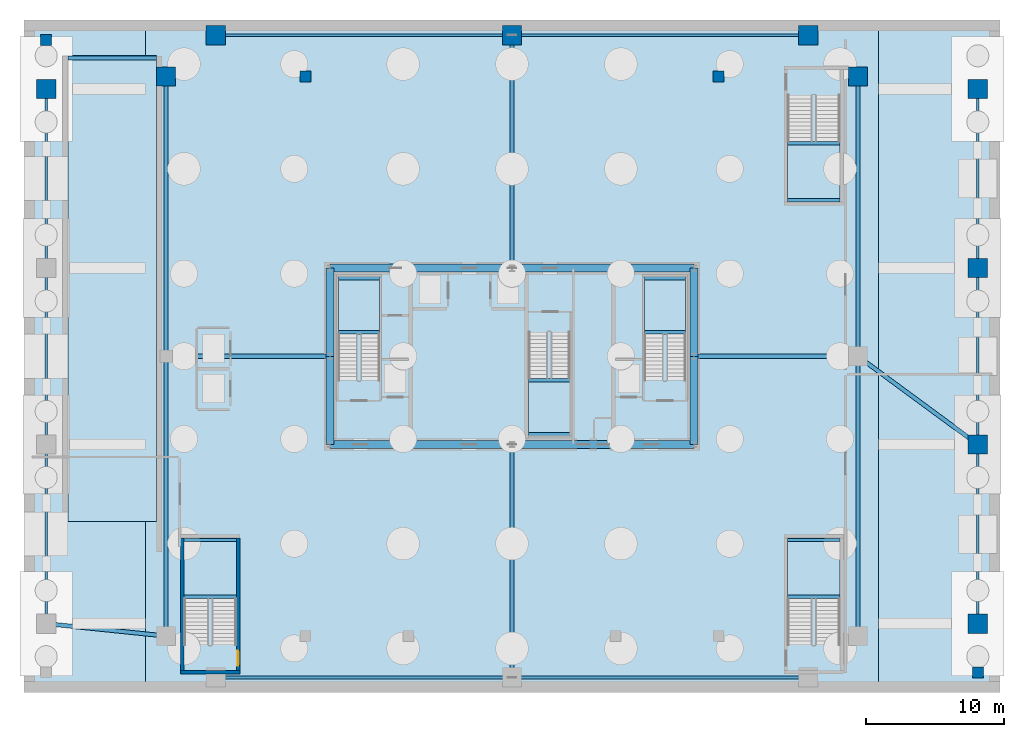
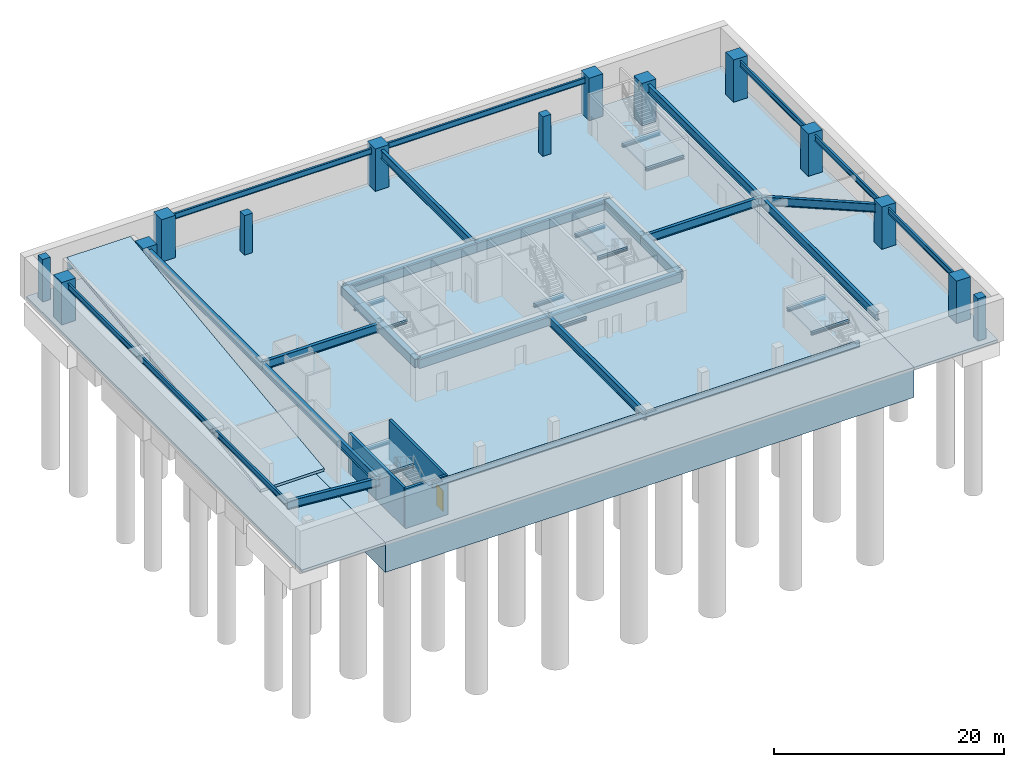
# One storey, part 3 of 10: 41 beams, 14 columns, 10 slabs, 3 walls, 1 door, 1 opening, 6 elements without a shape of their own.
"""IFC4 building model written with IfcOpenShell, lengths in metres."""

from ifc_helpers import new_model, si_unit, direction, frame, frame_2d, origin, origin_2d, place, context, subcontext, project, spatial, polyline, rectangle, i_section, outline, extrude, source, transform, mapped, material, layer, layer_set, material_profile, profile_set, type_object, element, fill, aggregate, save


model = new_model("IFC4")

# Units and contexts
model_context = context("Model", 3, precision=1e-05, world=origin(), true_north=direction((0.0, 1.0)))
body_context = subcontext(model_context, "Body", "Model", "MODEL_VIEW")
ifc_project = project(units=[si_unit("LENGTHUNIT", "METRE"), si_unit("AREAUNIT", "SQUARE_METRE"), si_unit("VOLUMEUNIT", "CUBIC_METRE"), si_unit("PLANEANGLEUNIT", "RADIAN"), si_unit("MASSUNIT", "GRAM", prefix="KILO"), si_unit("THERMODYNAMICTEMPERATUREUNIT", "KELVIN"), si_unit("POWERUNIT", "WATT")], contexts=[model_context])

# Site, building, storey
site_placement = place(None, origin())
site = spatial("IfcSite", under=ifc_project, at=site_placement, CompositionType="ELEMENT")
building_placement = place(site_placement, origin())
building = spatial("IfcBuilding", under=site, at=building_placement, Name="Yuzanri Waterfront Tower", CompositionType="ELEMENT")
storey_placement = place(building_placement, frame((0.0, 0.0, -9.0)))
storey = spatial("IfcBuildingStorey", under=building, at=storey_placement, Name="B02", CompositionType="ELEMENT", Elevation=-9.0)

# Columns
ifc_material_1 = material(Name="Concrete C50", Category="concrete")
ifc_material_profile_1 = material_profile(ifc_material_1, rectangle(XDim=0.800048828125, YDim=0.800048828125, at=origin_2d()), Name="RC 800x800")
ifc_profile_set_1 = profile_set([ifc_material_profile_1], Name="Concrete C50")
column_type_1 = type_object("IfcColumnType", Name="Upper Podium RC Column C50 800x800", PredefinedType="COLUMN", material=ifc_profile_set_1)
shared_shape_1 = source(origin(), body_context, "Body", "SweptSolid", [
    extrude(rectangle(XDim=0.800048828125, YDim=0.800048828125, at=origin_2d()), origin(), (0.0, 0.0, 1.0), 4.199951171875),
])
for number, where, z_axis, x_axis, name in (
    (1, (22.0, 46.10009765625, 0.0), (0.0, 0.0, 1.0), (1.0, 0.0, 0.0), "B02 Basement Sub-Grid Column 5"),
    (2, (52.0, 46.10009765625, 0.0), (0.0, 0.0, 1.0), (1.0, 0.0, 0.0), "B02 Basement Sub-Grid Column 6"),
):
    element("IfcColumn", number, at=place(storey_placement, frame(where, z_axis=z_axis, x_axis=x_axis)), inside=storey, type_object=column_type_1, Name=name, PredefinedType="COLUMN", context=body_context, shape_type="MappedRepresentation", body=[
        mapped(shared_shape_1, transform((0.0, 0.0, 0.0), scale=1.0)),
    ])
shared_shape_2 = source(origin(), body_context, "Body", "SweptSolid", [
    extrude(rectangle(XDim=0.800048828125, YDim=0.800048828125, at=origin_2d()), origin(), (0.0, 0.0, 1.0), 4.5),
])
for number, where, z_axis, x_axis, name in (
    (3, (70.800048828125, 2.85009765625, 0.0), (0.0, 0.0, 1.0), (1.0, 0.0, 0.0), "B02 Podium Corner Column CNPSE"),
    (4, (3.199951171875, 48.75, 0.0), (0.0, 0.0, 1.0), (1.0, 0.0, 0.0), "B02 Podium Corner Column CNPNW"),
):
    element("IfcColumn", number, at=place(storey_placement, frame(where, z_axis=z_axis, x_axis=x_axis)), inside=storey, type_object=column_type_1, Name=name, PredefinedType="COLUMN", context=body_context, shape_type="MappedRepresentation", body=[
        mapped(shared_shape_2, transform((0.0, 0.0, 0.0), scale=1.0)),
    ])
ifc_material_2 = material(Name="Concrete C60", Category="concrete")
ifc_material_profile_2 = material_profile(ifc_material_2, rectangle(XDim=1.39990234375, YDim=1.39990234375, at=origin_2d()), Name="RC 1400x1400")
ifc_profile_set_2 = profile_set([ifc_material_profile_2], Name="Concrete C60")
column_type_2 = type_object("IfcColumnType", Name="Podium RC Column C60 1400x1400", PredefinedType="COLUMN", material=ifc_profile_set_2)
shared_shape_3 = source(origin(), body_context, "Body", "SweptSolid", [
    extrude(rectangle(XDim=1.39990234375, YDim=1.39990234375, at=origin_2d()), origin(), (0.0, 0.0, 1.0), 4.5),
])
for number, where, z_axis, x_axis, name in (
    (5, (3.199951171875, 45.199951171875, 0.0), (0.0, 0.0, 1.0), (1.0, 0.0, 0.0), "B02 Podium Column PW4"),
    (6, (70.800048828125, 6.39990234375, 0.0), (0.0, 0.0, 1.0), (1.0, 0.0, 0.0), "B02 Podium Column PE1"),
    (7, (70.800048828125, 19.39990234375, 0.0), (0.0, 0.0, 1.0), (1.0, 0.0, 0.0), "B02 Podium Column PE2"),
    (8, (70.800048828125, 32.199951171875, 0.0), (0.0, 0.0, 1.0), (1.0, 0.0, 0.0), "B02 Podium Column PE3"),
    (9, (70.800048828125, 45.199951171875, 0.0), (0.0, 0.0, 1.0), (1.0, 0.0, 0.0), "B02 Podium Column PE4"),
    (10, (11.89990234375, 46.10009765625, 0.0), (0.0, 0.0, 1.0), (1.0, 0.0, 0.0), "B02 Podium Column PTW3"),
    (11, (62.10009765625, 46.10009765625, 0.0), (0.0, 0.0, 1.0), (1.0, 0.0, 0.0), "B02 Podium Column PTE3"),
    (12, (15.5, 49.10009765625, 0.0), (0.0, 0.0, 1.0), (1.0, 0.0, 0.0), "B02 Podium Column PTN1"),
    (13, (37.0, 49.10009765625, 0.0), (0.0, 0.0, 1.0), (1.0, 0.0, 0.0), "B02 Podium Column PTN2"),
    (14, (58.5, 49.10009765625, 0.0), (0.0, 0.0, 1.0), (1.0, 0.0, 0.0), "B02 Podium Column PTN3"),
):
    element("IfcColumn", number, at=place(storey_placement, frame(where, z_axis=z_axis, x_axis=x_axis)), inside=storey, type_object=column_type_2, Name=name, PredefinedType="COLUMN", context=body_context, shape_type="MappedRepresentation", body=[
        mapped(shared_shape_3, transform((0.0, 0.0, 0.0), scale=1.0)),
    ])

# Beams
ifc_material_3 = material(Name="Concrete C60", Category="concrete")
ifc_material_profile_3 = material_profile(ifc_material_3, rectangle(XDim=0.60009765625, YDim=0.89990234375, at=origin_2d()), Name="RC 600x900")
ifc_profile_set_3 = profile_set([ifc_material_profile_3], Name="Concrete C60")
beam_type_1 = type_object("IfcBeamType", Name="Core Coupling Lintel Concrete C60 600x900", PredefinedType="LINTEL", material=ifc_profile_set_3)
shared_shape_4 = source(origin(), body_context, "Body", "SweptSolid", [
    extrude(rectangle(XDim=0.60009765625, YDim=0.89990234375, at=origin_2d()), origin(), (0.0, 0.0, 1.0), 13.199951171875),
])
for number, where, z_axis, x_axis, name in (
    (15, (23.800048828125, 19.39990234375, 3.75), (1.0, 0.0, 0.0), (0.0, 1.0, 0.0), "B02 Core Tie Beam CS1"),
    (16, (37.0, 19.39990234375, 3.75), (1.0, 0.0, 0.0), (0.0, 1.0, 0.0), "B02 Core Tie Beam CS2"),
    (17, (23.800048828125, 32.199951171875, 3.75), (1.0, 0.0, 0.0), (0.0, 1.0, 0.0), "B02 Core Tie Beam CN1"),
    (18, (37.0, 32.199951171875, 3.75), (1.0, 0.0, 0.0), (0.0, 1.0, 0.0), "B02 Core Tie Beam CN2"),
):
    element("IfcBeam", number, at=place(storey_placement, frame(where, z_axis=z_axis, x_axis=x_axis)), inside=storey, type_object=beam_type_1, Name=name, PredefinedType="LINTEL", context=body_context, shape_type="MappedRepresentation", body=[
        mapped(shared_shape_4, transform((0.0, 0.0, 0.0), scale=1.0)),
    ])
shared_shape_5 = source(origin(), body_context, "Body", "SweptSolid", [
    extrude(rectangle(XDim=0.60009765625, YDim=0.89990234375, at=origin_2d()), origin(), (0.0, 0.0, 1.0), 6.400146484375),
])
for number, where, z_axis, x_axis, name in (
    (19, (23.800048828125, 19.39990234375, 3.75), (0.0, 1.0, 0.0), (-1.0, 0.0, 0.0), "B02 Core Tie Beam CW1"),
    (20, (50.199951171875, 19.39990234375, 3.75), (0.0, 1.0, 0.0), (-1.0, 0.0, 0.0), "B02 Core Tie Beam CE1"),
):
    element("IfcBeam", number, at=place(storey_placement, frame(where, z_axis=z_axis, x_axis=x_axis)), inside=storey, type_object=beam_type_1, Name=name, PredefinedType="LINTEL", context=body_context, shape_type="MappedRepresentation", body=[
        mapped(shared_shape_5, transform((0.0, 0.0, 0.0), scale=1.0)),
    ])
shared_shape_6 = source(origin(), body_context, "Body", "SweptSolid", [
    extrude(rectangle(XDim=0.60009765625, YDim=0.89990234375, at=origin_2d()), origin(), (0.0, 0.0, 1.0), 6.39990234375),
])
for number, where, z_axis, x_axis, name in (
    (21, (23.800048828125, 25.800048828125, 3.75), (0.0, 1.0, 0.0), (-1.0, 0.0, 0.0), "B02 Core Tie Beam CW2"),
    (22, (50.199951171875, 25.800048828125, 3.75), (0.0, 1.0, 0.0), (-1.0, 0.0, 0.0), "B02 Core Tie Beam CE2"),
):
    element("IfcBeam", number, at=place(storey_placement, frame(where, z_axis=z_axis, x_axis=x_axis)), inside=storey, type_object=beam_type_1, Name=name, PredefinedType="LINTEL", context=body_context, shape_type="MappedRepresentation", body=[
        mapped(shared_shape_6, transform((0.0, 0.0, 0.0), scale=1.0)),
    ])
ifc_material_4 = material(Name="Steel Q355B", Category="steel")
ifc_material_profile_4 = material_profile(ifc_material_4, i_section(OverallWidth=0.199951171875, OverallDepth=0.60009765625, WebThickness=0.010986328125, FlangeThickness=0.01708984375, at=origin_2d()), Name="HN 600x200x11x17")
ifc_profile_set_4 = profile_set([ifc_material_profile_4], Name="Steel Q355B")
beam_type_2 = type_object("IfcBeamType", Name="Perimeter Spandrel Q355B HN 600x200", PredefinedType="SPANDREL", material=ifc_profile_set_4)
shared_shape_7 = source(origin(), body_context, "Body", "SweptSolid", [
    extrude(i_section(OverallWidth=0.199951171875, OverallDepth=0.60009765625, WebThickness=0.010986328125, FlangeThickness=0.01708984375, at=origin_2d()), origin(), (0.0, 0.0, 1.0), 13.0),
])
for number, where, z_axis, x_axis, name in (
    (23, (3.199951171875, 6.39990234375, 3.89990234375), (0.0, 1.0, 0.0), (-1.0, 0.0, 0.0), "B02 West Podium Spandrel 1"),
    (24, (70.800048828125, 6.39990234375, 3.89990234375), (0.0, 1.0, 0.0), (-1.0, 0.0, 0.0), "B02 East Podium Spandrel 1"),
    (25, (3.199951171875, 32.199951171875, 3.89990234375), (0.0, 1.0, 0.0), (-1.0, 0.0, 0.0), "B02 West Podium Spandrel 3"),
    (26, (70.800048828125, 32.199951171875, 3.89990234375), (0.0, 1.0, 0.0), (-1.0, 0.0, 0.0), "B02 East Podium Spandrel 3"),
):
    element("IfcBeam", number, at=place(storey_placement, frame(where, z_axis=z_axis, x_axis=x_axis)), inside=storey, type_object=beam_type_2, Name=name, PredefinedType="SPANDREL", context=body_context, shape_type="MappedRepresentation", body=[
        mapped(shared_shape_7, transform((0.0, 0.0, 0.0), scale=1.0)),
    ])
shared_shape_8 = source(origin(), body_context, "Body", "SweptSolid", [
    extrude(i_section(OverallWidth=0.199951171875, OverallDepth=0.60009765625, WebThickness=0.010986328125, FlangeThickness=0.01708984375, at=origin_2d()), origin(), (0.0, 0.0, 1.0), 12.800048828125),
])
for number, where, z_axis, x_axis, name in (
    (27, (3.199951171875, 19.39990234375, 3.89990234375), (0.0, 1.0, 0.0), (-1.0, 0.0, 0.0), "B02 West Podium Spandrel 2"),
    (28, (70.800048828125, 19.39990234375, 3.89990234375), (0.0, 1.0, 0.0), (-1.0, 0.0, 0.0), "B02 East Podium Spandrel 2"),
):
    element("IfcBeam", number, at=place(storey_placement, frame(where, z_axis=z_axis, x_axis=x_axis)), inside=storey, type_object=beam_type_2, Name=name, PredefinedType="SPANDREL", context=body_context, shape_type="MappedRepresentation", body=[
        mapped(shared_shape_8, transform((0.0, 0.0, 0.0), scale=1.0)),
    ])
ifc_material_5 = material(Name="Steel Q355B", Category="steel")
ifc_material_profile_5 = material_profile(ifc_material_5, i_section(OverallWidth=0.300048828125, OverallDepth=0.89990234375, WebThickness=0.01611328125, FlangeThickness=0.028076171875, at=origin_2d()), Name="HN 900x300x16x28")
ifc_profile_set_5 = profile_set([ifc_material_profile_5], Name="Steel Q355B")
beam_type_3 = type_object("IfcBeamType", Name="Primary Podium Girder Q355B HN 900x300", PredefinedType="BEAM", material=ifc_profile_set_5)
shared_shape_9 = source(origin(), body_context, "Body", "SweptSolid", [
    extrude(i_section(OverallWidth=0.300048828125, OverallDepth=0.89990234375, WebThickness=0.01611328125, FlangeThickness=0.028076171875, at=origin_2d()), origin(), (0.0, 0.0, 1.0), 8.746337890625),
])
beam_1_placement = place(storey_placement, frame((3.199951171875, 6.39990234375, 3.75), z_axis=(0.994692877467, -0.102888675357, 0.0), x_axis=(0.102888675357, 0.994692877467, 0.0)))
element("IfcBeam", 29, at=beam_1_placement, inside=storey, type_object=beam_type_3, Name="B02 Basement West South Tie Girder", PredefinedType="BEAM", context=body_context, shape_type="MappedRepresentation", body=[
    mapped(shared_shape_9, transform((0.0, 0.0, 0.0), scale=1.0)),
])
shared_shape_10 = source(origin(), body_context, "Body", "SweptSolid", [
    extrude(i_section(OverallWidth=0.300048828125, OverallDepth=0.89990234375, WebThickness=0.01611328125, FlangeThickness=0.028076171875, at=origin_2d()), origin(), (0.0, 0.0, 1.0), 11.900146484375),
])
for number, where, z_axis, x_axis, name in (
    (30, (11.89990234375, 25.800048828125, 3.75), (1.0, 0.0, 0.0), (0.0, 1.0, 0.0), "B02 Podium West Girder 2"),
    (31, (50.199951171875, 25.800048828125, 3.75), (1.0, 0.0, 0.0), (0.0, 1.0, 0.0), "B02 Podium East Girder 1"),
):
    element("IfcBeam", number, at=place(storey_placement, frame(where, z_axis=z_axis, x_axis=x_axis)), inside=storey, type_object=beam_type_3, Name=name, PredefinedType="BEAM", context=body_context, shape_type="MappedRepresentation", body=[
        mapped(shared_shape_10, transform((0.0, 0.0, 0.0), scale=1.0)),
    ])
shared_shape_11 = source(origin(), body_context, "Body", "SweptSolid", [
    extrude(i_section(OverallWidth=0.300048828125, OverallDepth=0.89990234375, WebThickness=0.01611328125, FlangeThickness=0.028076171875, at=origin_2d()), origin(), (0.0, 0.0, 1.0), 20.300048828125),
])
for number, where, z_axis, x_axis, name in (
    (32, (11.89990234375, 5.5, 3.75), (0.0, 1.0, 0.0), (-1.0, 0.0, 0.0), "B02 Podium Spine Girder S"),
    (33, (11.89990234375, 25.800048828125, 3.75), (0.0, 1.0, 0.0), (-1.0, 0.0, 0.0), "B02 Podium Spine Girder N"),
    (34, (62.10009765625, 5.5, 3.75), (0.0, 1.0, 0.0), (-1.0, 0.0, 0.0), "B02 Podium East Spine S"),
    (35, (62.10009765625, 25.800048828125, 3.75), (0.0, 1.0, 0.0), (-1.0, 0.0, 0.0), "B02 Podium East Spine N"),
):
    element("IfcBeam", number, at=place(storey_placement, frame(where, z_axis=z_axis, x_axis=x_axis)), inside=storey, type_object=beam_type_3, Name=name, PredefinedType="BEAM", context=body_context, shape_type="MappedRepresentation", body=[
        mapped(shared_shape_11, transform((0.0, 0.0, 0.0), scale=1.0)),
    ])
shared_shape_12 = source(origin(), body_context, "Body", "SweptSolid", [
    extrude(i_section(OverallWidth=0.300048828125, OverallDepth=0.89990234375, WebThickness=0.01611328125, FlangeThickness=0.028076171875, at=origin_2d()), origin(), (0.0, 0.0, 1.0), 10.800537109375),
])
beam_2_placement = place(storey_placement, frame((62.10009765625, 25.800048828125, 3.75), z_axis=(0.805512964712, -0.592578149851, 0.0), x_axis=(0.592578149851, 0.805512964712, 0.0)))
element("IfcBeam", 36, at=beam_2_placement, inside=storey, type_object=beam_type_3, Name="B02 Podium East Girder 2", PredefinedType="BEAM", context=body_context, shape_type="MappedRepresentation", body=[
    mapped(shared_shape_12, transform((0.0, 0.0, 0.0), scale=1.0)),
])
shared_shape_13 = source(origin(), body_context, "Body", "SweptSolid", [
    extrude(i_section(OverallWidth=0.300048828125, OverallDepth=0.89990234375, WebThickness=0.01611328125, FlangeThickness=0.028076171875, at=origin_2d()), origin(), (0.0, 0.0, 1.0), 16.89990234375),
])
beam_3_placement = place(storey_placement, frame((37.0, 2.5, 3.75), z_axis=(0.0, 1.0, 0.0), x_axis=(-1.0, 0.0, 0.0)))
element("IfcBeam", 37, at=beam_3_placement, inside=storey, type_object=beam_type_3, Name="B02 South Core Link Girder", PredefinedType="BEAM", context=body_context, shape_type="MappedRepresentation", body=[
    mapped(shared_shape_13, transform((0.0, 0.0, 0.0), scale=1.0)),
])
shared_shape_14 = source(origin(), body_context, "Body", "SweptSolid", [
    extrude(i_section(OverallWidth=0.300048828125, OverallDepth=0.89990234375, WebThickness=0.01611328125, FlangeThickness=0.028076171875, at=origin_2d()), origin(), (0.0, 0.0, 1.0), 16.900146484375),
])
beam_4_placement = place(storey_placement, frame((37.0, 32.199951171875, 3.75), z_axis=(0.0, 1.0, 0.0), x_axis=(-1.0, 0.0, 0.0)))
element("IfcBeam", 38, at=beam_4_placement, inside=storey, type_object=beam_type_3, Name="B02 North Core Link Girder", PredefinedType="BEAM", context=body_context, shape_type="MappedRepresentation", body=[
    mapped(shared_shape_14, transform((0.0, 0.0, 0.0), scale=1.0)),
])
shared_shape_15 = source(origin(), body_context, "Body", "SweptSolid", [
    extrude(i_section(OverallWidth=0.199951171875, OverallDepth=0.60009765625, WebThickness=0.010986328125, FlangeThickness=0.01708984375, at=origin_2d()), origin(), (0.0, 0.0, 1.0), 21.5),
])
for number, where, z_axis, x_axis, name in (
    (39, (15.5, 2.5, 3.89990234375), (1.0, 0.0, 0.0), (0.0, 1.0, 0.0), "B02 South Spandrel 1"),
    (40, (37.0, 2.5, 3.89990234375), (1.0, 0.0, 0.0), (0.0, 1.0, 0.0), "B02 South Spandrel 2"),
    (41, (15.5, 49.10009765625, 3.89990234375), (1.0, 0.0, 0.0), (0.0, 1.0, 0.0), "B02 North Spandrel 1"),
    (42, (37.0, 49.10009765625, 3.89990234375), (1.0, 0.0, 0.0), (0.0, 1.0, 0.0), "B02 North Spandrel 2"),
):
    element("IfcBeam", number, at=place(storey_placement, frame(where, z_axis=z_axis, x_axis=x_axis)), inside=storey, type_object=beam_type_2, Name=name, PredefinedType="SPANDREL", context=body_context, shape_type="MappedRepresentation", body=[
        mapped(shared_shape_15, transform((0.0, 0.0, 0.0), scale=1.0)),
    ])
shared_shape_16 = source(origin(), body_context, "Body", "SweptSolid", [
    extrude(i_section(OverallWidth=0.300048828125, OverallDepth=0.89990234375, WebThickness=0.01611328125, FlangeThickness=0.028076171875, at=origin_2d()), origin(), (0.0, 0.0, 1.0), 6.39990234375),
])
beam_5_placement = place(storey_placement, frame((4.800048828125, 47.449951171875, 3.72509765625), z_axis=(1.0, 0.0, 0.0), x_axis=(0.0, 1.0, 0.0)))
element("IfcBeam", 43, at=beam_5_placement, inside=storey, type_object=beam_type_3, Name="B02 Car-Park Ramp Arrival Header Girder", PredefinedType="BEAM", context=body_context, shape_type="MappedRepresentation", body=[
    mapped(shared_shape_16, transform((0.0, 0.0, 0.0), scale=1.0)),
])
ifc_material_6 = material(Name="Steel Q355B", Category="steel")
ifc_material_profile_6 = material_profile(ifc_material_6, i_section(OverallWidth=0.25, OverallDepth=0.25, WebThickness=0.009033203125, FlangeThickness=0.013916015625, at=origin_2d()), Name="HW 250x250x9x14")
ifc_profile_set_6 = profile_set([ifc_material_profile_6], Name="Steel Q355B")
beam_type_4 = type_object("IfcBeamType", Name="Stair Landing Support Beam Q355B HW 250x250", PredefinedType="BEAM", material=ifc_profile_set_6)
shared_shape_17 = source(origin(), body_context, "Body", "SweptSolid", [
    extrude(i_section(OverallWidth=0.25, OverallDepth=0.25, WebThickness=0.009033203125, FlangeThickness=0.013916015625, at=origin_2d()), origin(), (0.0, 0.0, 1.0), 3.0),
])
for number, where, z_axis, x_axis, name in (
    (44, (24.39990234375, 27.530029296875, 1.925048828125), (1.0, 0.0, 0.0), (0.0, 1.0, 0.0), "B02 Stair Landing Support Beam ST-01-B02-L1-1"),
    (45, (24.39990234375, 31.449951171875, 1.925048828125), (1.0, 0.0, 0.0), (0.0, 1.0, 0.0), "B02 Stair Landing Support Beam ST-01-B02-L1-2"),
    (46, (46.60009765625, 27.530029296875, 1.925048828125), (1.0, 0.0, 0.0), (0.0, 1.0, 0.0), "B02 Stair Landing Support Beam ST-02-B02-L1-1"),
    (47, (46.60009765625, 31.449951171875, 1.925048828125), (1.0, 0.0, 0.0), (0.0, 1.0, 0.0), "B02 Stair Landing Support Beam ST-02-B02-L1-2"),
    (48, (38.199951171875, 20.14990234375, 1.925048828125), (1.0, 0.0, 0.0), (0.0, 1.0, 0.0), "B02 Stair Landing Support Beam ST-03-B02-L1-1"),
    (49, (38.199951171875, 24.070068359375, 1.925048828125), (1.0, 0.0, 0.0), (0.0, 1.0, 0.0), "B02 Stair Landing Support Beam ST-03-B02-L1-2"),
):
    element("IfcBeam", number, at=place(storey_placement, frame(where, z_axis=z_axis, x_axis=x_axis)), inside=storey, type_object=beam_type_4, Name=name, PredefinedType="BEAM", context=body_context, shape_type="MappedRepresentation", body=[
        mapped(shared_shape_17, transform((0.0, 0.0, 0.0), scale=1.0)),
    ])
shared_shape_18 = source(origin(), body_context, "Body", "SweptSolid", [
    extrude(i_section(OverallWidth=0.25, OverallDepth=0.25, WebThickness=0.009033203125, FlangeThickness=0.013916015625, at=origin_2d()), origin(), (0.0, 0.0, 1.0), 3.800048828125),
])
for number, where, z_axis, x_axis, name in (
    (50, (13.199951171875, 8.340087890625, 1.925048828125), (1.0, 0.0, 0.0), (0.0, 1.0, 0.0), "B02 Stair Landing Support Beam PST-01-B02-L1-1"),
    (51, (13.199951171875, 12.469970703125, 1.925048828125), (1.0, 0.0, 0.0), (0.0, 1.0, 0.0), "B02 Stair Landing Support Beam PST-01-B02-L1-2"),
    (52, (57.0, 8.340087890625, 1.925048828125), (1.0, 0.0, 0.0), (0.0, 1.0, 0.0), "B02 Stair Landing Support Beam PST-02-B02-L1-1"),
    (53, (57.0, 12.469970703125, 1.925048828125), (1.0, 0.0, 0.0), (0.0, 1.0, 0.0), "B02 Stair Landing Support Beam PST-02-B02-L1-2"),
    (54, (57.0, 37.1298828125, 1.925048828125), (1.0, 0.0, 0.0), (0.0, 1.0, 0.0), "B02 Stair Landing Support Beam PST-03-B02-L1-1"),
    (55, (57.0, 41.260009765625, 1.925048828125), (1.0, 0.0, 0.0), (0.0, 1.0, 0.0), "B02 Stair Landing Support Beam PST-03-B02-L1-2"),
):
    element("IfcBeam", number, at=place(storey_placement, frame(where, z_axis=z_axis, x_axis=x_axis)), inside=storey, type_object=beam_type_4, Name=name, PredefinedType="BEAM", context=body_context, shape_type="MappedRepresentation", body=[
        mapped(shared_shape_18, transform((0.0, 0.0, 0.0), scale=1.0)),
    ])

# Stair, slab
ifc_material_7 = material(Name="Concrete C40", Category="concrete")
stair_type_1 = type_object("IfcStairType", Name="Concrete C40 Core Dogleg Exit Stair", PredefinedType="HALF_TURN_STAIR", material=ifc_material_7)
stair_1_placement = place(storey_placement, origin())
stair_1 = element("IfcStair", 56, at=stair_1_placement, inside=storey, type_object=stair_type_1, Name="B02 Smoke-Proof Core Stair ST-01", PredefinedType="HALF_TURN_STAIR")
ifc_material_8 = material(Name="Concrete C40", Category="concrete")
ifc_layer_1 = layer(ifc_material_8, 0.179931640625)
ifc_layer_set_1 = layer_set([ifc_layer_1], Name="Concrete C40")
slab_type_1 = type_object("IfcSlabType", Name="Concrete C40 Stair Half-Landing Slab 180", PredefinedType="LANDING", material=ifc_layer_set_1)
slab_1_placement = place(storey_placement, frame((0.0, 0.0, 2.050048828125)))
slab_1 = element("IfcSlab", 57, at=slab_1_placement, type_object=slab_type_1, Name="ST-01 landing 1", PredefinedType="LANDING", context=body_context, shape_type="SweptSolid", body=[
    extrude(outline(polyline([(27.39990234375, 27.39990234375), (27.39990234375, 31.580078125), (24.39990234375, 31.580078125), (24.39990234375, 27.39990234375), (27.39990234375, 27.39990234375)])), origin(), (0.0, 0.0, 1.0), 0.199951171875),
])
aggregate(stair_1, [slab_1])

stair_2_placement = place(storey_placement, origin())
stair_2 = element("IfcStair", 58, at=stair_2_placement, inside=storey, type_object=stair_type_1, Name="B02 Smoke-Proof Core Stair ST-02", PredefinedType="HALF_TURN_STAIR")
slab_2_placement = place(storey_placement, frame((0.0, 0.0, 2.050048828125)))
slab_2 = element("IfcSlab", 59, at=slab_2_placement, type_object=slab_type_1, Name="ST-02 landing 1", PredefinedType="LANDING", context=body_context, shape_type="SweptSolid", body=[
    extrude(outline(polyline([(49.60009765625, 27.39990234375), (49.60009765625, 31.580078125), (46.60009765625, 31.580078125), (46.60009765625, 27.39990234375), (49.60009765625, 27.39990234375)])), origin(), (0.0, 0.0, 1.0), 0.199951171875),
])
aggregate(stair_2, [slab_2])

stair_3_placement = place(storey_placement, origin())
stair_3 = element("IfcStair", 60, at=stair_3_placement, inside=storey, type_object=stair_type_1, Name="B02 Smoke-Proof Core Stair ST-03", PredefinedType="HALF_TURN_STAIR")
slab_3_placement = place(storey_placement, frame((0.0, 0.0, 2.050048828125)))
slab_3 = element("IfcSlab", 61, at=slab_3_placement, type_object=slab_type_1, Name="ST-03 landing 1", PredefinedType="LANDING", context=body_context, shape_type="SweptSolid", body=[
    extrude(outline(polyline([(38.199951171875, 24.199951171875), (38.199951171875, 20.02001953125), (41.199951171875, 20.02001953125), (41.199951171875, 24.199951171875), (38.199951171875, 24.199951171875)])), origin(), (0.0, 0.0, 1.0), 0.199951171875),
])
aggregate(stair_3, [slab_3])

ifc_material_9 = material(Name="Concrete C40", Category="concrete")
stair_type_2 = type_object("IfcStairType", Name="Concrete C40 Podium Dogleg Exit Stair", PredefinedType="HALF_TURN_STAIR", material=ifc_material_9)
stair_4_placement = place(storey_placement, origin())
stair_4 = element("IfcStair", 62, at=stair_4_placement, inside=storey, type_object=stair_type_2, Name="B02 Podium Public Exit Stair PST-01", PredefinedType="HALF_TURN_STAIR")
slab_4_placement = place(storey_placement, frame((0.0, 0.0, 2.050048828125)))
slab_4 = element("IfcSlab", 63, at=slab_4_placement, type_object=slab_type_1, Name="PST-01 landing 1", PredefinedType="LANDING", context=body_context, shape_type="SweptSolid", body=[
    extrude(outline(polyline([(17.0, 8.2099609375), (17.0, 12.60009765625), (13.199951171875, 12.60009765625), (13.199951171875, 8.2099609375), (17.0, 8.2099609375)])), origin(), (0.0, 0.0, 1.0), 0.199951171875),
])
aggregate(stair_4, [slab_4])

stair_5_placement = place(storey_placement, origin())
stair_5 = element("IfcStair", 64, at=stair_5_placement, inside=storey, type_object=stair_type_2, Name="B02 Podium Public Exit Stair PST-02", PredefinedType="HALF_TURN_STAIR")
slab_5_placement = place(storey_placement, frame((0.0, 0.0, 2.050048828125)))
slab_5 = element("IfcSlab", 65, at=slab_5_placement, type_object=slab_type_1, Name="PST-02 landing 1", PredefinedType="LANDING", context=body_context, shape_type="SweptSolid", body=[
    extrude(outline(polyline([(60.800048828125, 8.2099609375), (60.800048828125, 12.60009765625), (57.0, 12.60009765625), (57.0, 8.2099609375), (60.800048828125, 8.2099609375)])), origin(), (0.0, 0.0, 1.0), 0.199951171875),
])
aggregate(stair_5, [slab_5])

stair_6_placement = place(storey_placement, origin())
stair_6 = element("IfcStair", 66, at=stair_6_placement, inside=storey, type_object=stair_type_2, Name="B02 Podium Public Exit Stair PST-03", PredefinedType="HALF_TURN_STAIR")
slab_6_placement = place(storey_placement, frame((0.0, 0.0, 2.050048828125)))
slab_6 = element("IfcSlab", 67, at=slab_6_placement, type_object=slab_type_1, Name="PST-03 landing 1", PredefinedType="LANDING", context=body_context, shape_type="SweptSolid", body=[
    extrude(outline(polyline([(57.0, 41.389892578125), (57.0, 37.0), (60.800048828125, 37.0), (60.800048828125, 41.389892578125), (57.0, 41.389892578125)])), origin(), (0.0, 0.0, 1.0), 0.199951171875),
])
aggregate(stair_6, [slab_6])

# Slabs
ifc_material_10 = material(Name="Concrete C45", Category="concrete")
ifc_layer_2 = layer(ifc_material_10, 0.300048828125)
ifc_layer_set_2 = layer_set([ifc_layer_2], Name="Concrete C45")
slab_type_2 = type_object("IfcSlabType", Name="Concrete C45 Car-Park Vehicle Ramp Structural Slab 300", PredefinedType="USERDEFINED", material=ifc_layer_set_2)
slab_7_placement = place(storey_placement, frame((4.800048828125, 13.800048828125, 0.302001953125), z_axis=(0.0, -0.123253934473, 0.992375164762), x_axis=(1.0, 0.0, 0.0)))
element("IfcSlab", 68, at=slab_7_placement, inside=storey, type_object=slab_type_2, Name="B02 Car-Park Two-Way Vehicle Ramp Structural Slab", ObjectType="VEHICLE RAMP", PredefinedType="USERDEFINED", context=body_context, shape_type="SweptSolid", body=[
    extrude(outline(polyline([(0.0, 0.0), (6.39990234375, 0.0), (6.39990234375, 34.05974880097034), (0.0, 34.05974880097034), (0.0, 0.0)])), origin(), (0.0, 0.0, -1.0), 0.300048828125),
])
ifc_material_11 = material(Name="Concrete C45", Category="concrete")
ifc_layer_3 = layer(ifc_material_11, 0.280029296875)
ifc_layer_set_3 = layer_set([ifc_layer_3], Name="Concrete C45")
slab_type_3 = type_object("IfcSlabType", Name="Concrete C45 Podium and Refuge Structural Floor Slab 280", PredefinedType="FLOOR", material=ifc_layer_set_3)
slab_8_placement = place(storey_placement, frame((0.0, 0.0, -0.280029296875)))
element("IfcSlab", 69, at=slab_8_placement, inside=storey, type_object=slab_type_3, Name="B02 Basement Wing Structural Slab W", PredefinedType="FLOOR", context=body_context, shape_type="SweptSolid", body=[
    extrude(outline(polyline([(2.0, 1.800048828125), (10.39990234375, 1.800048828125), (10.39990234375, 49.800048828125), (2.0, 49.800048828125), (2.0, 1.800048828125)])), origin(), (0.0, 0.0, 1.0), 0.280029296875),
])
slab_9_placement = place(storey_placement, frame((0.0, 0.0, -0.280029296875)))
element("IfcSlab", 70, at=slab_9_placement, inside=storey, type_object=slab_type_3, Name="B02 Basement Wing Structural Slab E", PredefinedType="FLOOR", context=body_context, shape_type="SweptSolid", body=[
    extrude(outline(polyline([(63.60009765625, 1.800048828125), (72.0, 1.800048828125), (72.0, 49.800048828125), (63.60009765625, 49.800048828125), (63.60009765625, 1.800048828125)])), origin(), (0.0, 0.0, 1.0), 0.280029296875),
])
ifc_material_12 = material(Name="Concrete C50", Category="concrete")
ifc_layer_4 = layer(ifc_material_12, 3.199951171875)
ifc_layer_set_4 = layer_set([ifc_layer_4], Name="Concrete C50")
slab_type_4 = type_object("IfcSlabType", Name="Concrete C50 Piled Raft Mat Foundation Slab 3200", PredefinedType="BASESLAB", material=ifc_layer_set_4)
slab_10_placement = place(storey_placement, frame((0.0, 0.0, -3.199951171875)))
element("IfcSlab", 71, at=slab_10_placement, inside=storey, type_object=slab_type_4, Name="B02 Tower Piled Raft Mat Foundation", PredefinedType="BASESLAB", context=body_context, shape_type="SweptSolid", body=[
    extrude(outline(polyline([(10.39990234375, 1.800048828125), (63.60009765625, 1.800048828125), (63.60009765625, 49.800048828125), (10.39990234375, 49.800048828125), (10.39990234375, 1.800048828125)])), origin(), (0.0, 0.0, 1.0), 3.199951171875),
])

# Wall, opening, door
ifc_material_13 = material(Name="Concrete C40", Category="concrete")
ifc_layer_5 = layer(ifc_material_13, 0.25)
ifc_layer_set_5 = layer_set([ifc_layer_5], Name="Concrete C40")
wall_type = type_object("IfcWallType", Name="Smoke-Proof Stair and Lift Shaft Wall 250", PredefinedType="SOLIDWALL", material=ifc_layer_set_5)
wall_1_placement = place(storey_placement, frame((17.125, 3.0, 0.0), z_axis=(0.0, 0.0, 1.0), x_axis=(0.0, 1.0, 0.0)))
wall_1 = element("IfcWall", 72, at=wall_1_placement, inside=storey, type_object=wall_type, Name="B02 Shaft Wall PSTW-B02-PST-01-E", PredefinedType="SOLIDWALL", context=body_context, shape_type="SweptSolid", body=[
    extrude(rectangle(XDim=9.60009765625, YDim=0.25, at=frame_2d((4.800048828125, 0.0))), origin(), (0.0, 0.0, 1.0), 4.199951171875),
])
opening_placement = place(wall_1_placement, frame((0.35009765625, 0.0, 0.0)))
opening = element("IfcOpeningElement", 73, at=opening_placement, cuts=wall_1, Name="Opening FD-1100", PredefinedType="OPENING", context=body_context, shape_type="SweptSolid", body=[
    extrude(rectangle(XDim=1.10009765625, YDim=2.199951171875, at=frame_2d((0.550048828125, 1.10009765625))), frame((0.0, 0.139892578125, 0.0), z_axis=(0.0, -1.0, 0.0), x_axis=(1.0, 0.0, 0.0)), (0.0, 0.0, 1.0), 0.27978515625),
])
ifc_material_14 = material(Name="Painted Galvanized Fire Steel", Category="steel")
door_type = type_object("IfcDoorType", Name="Smoke-Proof Stair and Lobby Fire Door 1100x2200", OperationType="NOTDEFINED", PredefinedType="DOOR", material=ifc_material_14)
shared_shape_19 = source(origin(), body_context, "Body", "SweptSolid", [
    extrude(rectangle(XDim=1.10009765625, YDim=2.199951171875, at=frame_2d((0.550048828125, 1.10009765625))), frame((0.0, 0.02490234375, 0.0), z_axis=(0.0, -1.0, 0.0), x_axis=(1.0, 0.0, 0.0)), (0.0, 0.0, 1.0), 0.050048828125),
])
door_placement = place(opening_placement, origin())
door = element("IfcDoor", 74, at=door_placement, inside=storey, type_object=door_type, Name="B02 PST-01 Stair Door", OperationType="SINGLE_SWING_RIGHT", OverallHeight=2.199951171875, OverallWidth=1.10009765625, PredefinedType="DOOR", context=body_context, shape_type="MappedRepresentation", body=[
    mapped(shared_shape_19, transform((0.0, 0.0, 0.0), scale=1.0)),
])
fill(opening, door)

# Walls
shared_shape_20 = source(origin(), body_context, "Body", "SweptSolid", [
    extrude(rectangle(XDim=4.300048828125, YDim=0.25, at=frame_2d((2.14990234375, 0.0))), origin(), (0.0, 0.0, 1.0), 4.199951171875),
])
wall_2_placement = place(storey_placement, frame((12.949951171875, 2.875, 0.0), z_axis=(0.0, 0.0, 1.0), x_axis=(1.0, 0.0, 0.0)))
element("IfcWall", 75, at=wall_2_placement, inside=storey, type_object=wall_type, Name="B02 PST-01 South Wall", PredefinedType="SOLIDWALL", context=body_context, shape_type="MappedRepresentation", body=[
    mapped(shared_shape_20, transform((0.0, 0.0, 0.0), scale=1.0)),
])
shared_shape_21 = source(origin(), body_context, "Body", "SweptSolid", [
    extrude(rectangle(XDim=9.60009765625, YDim=0.25, at=frame_2d((4.800048828125, 0.0))), origin(), (0.0, 0.0, 1.0), 4.199951171875),
])
wall_3_placement = place(storey_placement, frame((13.074951171875, 3.0, 0.0), z_axis=(0.0, 0.0, 1.0), x_axis=(0.0, 1.0, 0.0)))
element("IfcWall", 76, at=wall_3_placement, inside=storey, type_object=wall_type, Name="B02 Shaft Wall PSTW-B02-PST-01-W", PredefinedType="SOLIDWALL", context=body_context, shape_type="MappedRepresentation", body=[
    mapped(shared_shape_21, transform((0.0, 0.0, 0.0), scale=1.0)),
])

save(model, "model.ifc")
